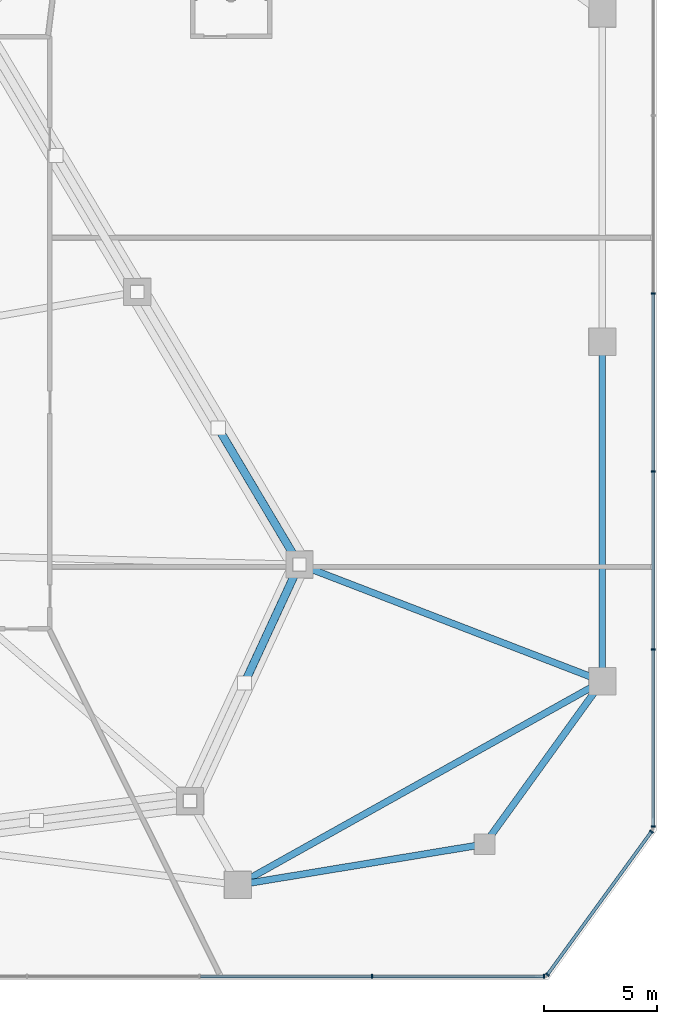
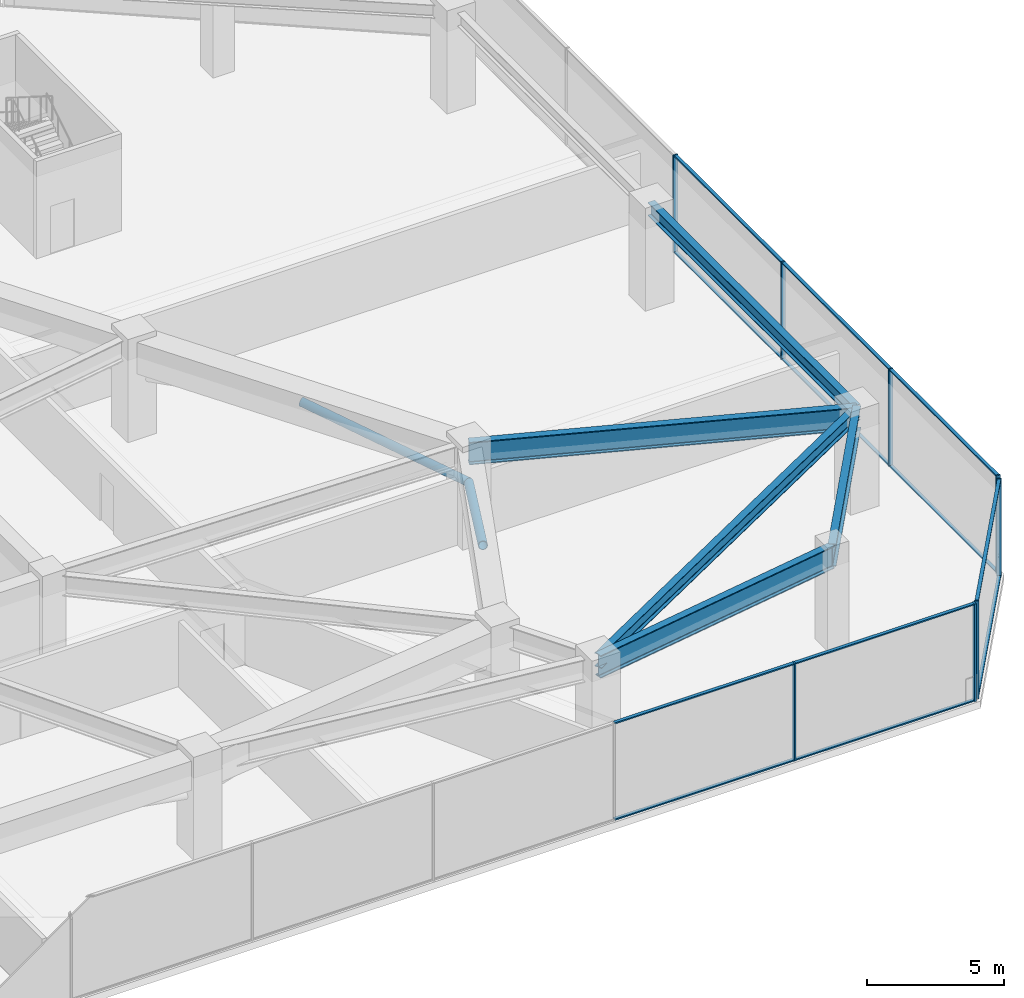
# One storey, part 11 of 23: 22 members, 5 beams, 3 elements without a shape of their own.
"""IFC4 building model written with IfcOpenShell, lengths in metres."""

from ifc_helpers import new_model, si_unit, direction, frame, origin, origin_2d, place, context, subcontext, project, spatial, rectangle, hollow_circle, i_section, extrude, material, material_profile, profile_set, type_object, element, aggregate, save


model = new_model("IFC4")

# Units and contexts
model_context = context("Model", 3, precision=1e-05, world=origin(), true_north=direction((0.0, 1.0)))
body_context = subcontext(model_context, "Body", "Model", "MODEL_VIEW")
ifc_project = project(units=[si_unit("LENGTHUNIT", "METRE"), si_unit("AREAUNIT", "SQUARE_METRE"), si_unit("VOLUMEUNIT", "CUBIC_METRE"), si_unit("PLANEANGLEUNIT", "RADIAN"), si_unit("MASSUNIT", "GRAM", prefix="KILO")], contexts=[model_context])

# Site, building, storey
site_placement = place(None, origin())
site = spatial("IfcSite", under=ifc_project, at=site_placement, CompositionType="ELEMENT")
building_placement = place(site_placement, origin())
building = spatial("IfcBuilding", under=site, at=building_placement, Name="Savorim Split Tower", CompositionType="ELEMENT")
storey_placement = place(building_placement, frame((0.0, 0.0, 21.800048828125)))
storey = spatial("IfcBuildingStorey", under=building, at=storey_placement, Name="L05", CompositionType="ELEMENT", Elevation=21.800048828125)

# Beams
ifc_material_1 = material(Name="Steel S355", Category="steel")
ifc_material_profile_1 = material_profile(ifc_material_1, i_section(OverallWidth=0.300048828125, OverallDepth=0.590087890625, WebThickness=0.012939453125, FlangeThickness=0.02490234375, FilletRadius=0.027099609375, at=origin_2d()), Name="HEA 600")
ifc_profile_set_1 = profile_set([ifc_material_profile_1], Name="Steel S355")
beam_type_1 = type_object("IfcBeamType", Name="BM-SPN-HEA600", PredefinedType="SPANDREL", material=ifc_profile_set_1)
beam_1_placement = place(storey_placement, frame((22.5, -24.0, 4.054931640625), z_axis=(0.872876830371, 0.487940610117, 0.0), x_axis=(-0.487940610117, 0.872876830371, 0.0)))
element("IfcBeam", 1, at=beam_1_placement, inside=storey, type_object=beam_type_1, Name="L05 Podium Spandrel Beam 2", PredefinedType="SPANDREL", context=body_context, shape_type="SweptSolid", body=[
    extrude(i_section(OverallWidth=0.300048828125, OverallDepth=0.590087890625, WebThickness=0.012939453125, FlangeThickness=0.02490234375, FilletRadius=0.027099609375, at=origin_2d()), origin(), (0.0, 0.0, 1.0), 18.44482421875),
])
beam_2_placement = place(storey_placement, frame((38.60009765625, -15.0, 4.054931640625), z_axis=(0.0, 1.0, 0.0), x_axis=(-1.0, 0.0, 0.0)))
element("IfcBeam", 2, at=beam_2_placement, inside=storey, type_object=beam_type_1, Name="L05 Podium Spandrel Beam 3", PredefinedType="SPANDREL", context=body_context, shape_type="SweptSolid", body=[
    extrude(i_section(OverallWidth=0.300048828125, OverallDepth=0.590087890625, WebThickness=0.012939453125, FlangeThickness=0.02490234375, FilletRadius=0.027099609375, at=origin_2d()), origin(), (0.0, 0.0, 1.0), 15.0),
])
ifc_material_2 = material(Name="Steel S460", Category="steel")
ifc_material_profile_2 = material_profile(ifc_material_2, i_section(OverallWidth=0.302001953125, OverallDepth=1.008056640625, WebThickness=0.02099609375, FlangeThickness=0.0400390625, FilletRadius=0.030029296875, at=origin_2d()), Name="HE 1000 M")
ifc_profile_set_2 = profile_set([ifc_material_profile_2], Name="Steel S460")
beam_type_2 = type_object("IfcBeamType", Name="BM-TRF-HEM1000", PredefinedType="BEAM", material=ifc_profile_set_2)
beam_3_placement = place(storey_placement, frame((22.5, -24.0, 3.845947265625), z_axis=(0.986636527583, 0.162936682298, 0.0), x_axis=(-0.162936682298, 0.986636527583, 0.0)))
element("IfcBeam", 3, at=beam_3_placement, inside=storey, type_object=beam_type_2, Name="L05 Podium Primary Girder BG-05", PredefinedType="BEAM", context=body_context, shape_type="SweptSolid", body=[
    extrude(i_section(OverallWidth=0.302001953125, OverallDepth=1.008056640625, WebThickness=0.02099609375, FlangeThickness=0.0400390625, FilletRadius=0.030029296875, at=origin_2d()), origin(), (0.0, 0.0, 1.0), 11.047607421875),
])
beam_4_placement = place(storey_placement, frame((33.39990234375, -22.199951171875, 3.845947265625), z_axis=(0.585507615617, 0.810666905735, 0.0), x_axis=(-0.810666905735, 0.585507615617, 0.0)))
element("IfcBeam", 4, at=beam_4_placement, inside=storey, type_object=beam_type_2, Name="L05 Podium Primary Girder BG-06", PredefinedType="BEAM", context=body_context, shape_type="SweptSolid", body=[
    extrude(i_section(OverallWidth=0.302001953125, OverallDepth=1.008056640625, WebThickness=0.02099609375, FlangeThickness=0.0400390625, FilletRadius=0.030029296875, at=origin_2d()), origin(), (0.0, 0.0, 1.0), 8.881591796875),
])
beam_5_placement = place(storey_placement, frame((38.60009765625, -15.0, 3.845947265625), z_axis=(-0.933209998247, 0.359331461427, 0.0), x_axis=(-0.359331461427, -0.933209998247, 0.0)))
element("IfcBeam", 5, at=beam_5_placement, inside=storey, type_object=beam_type_2, Name="L05 Podium Primary Girder BG-07", PredefinedType="BEAM", context=body_context, shape_type="SweptSolid", body=[
    extrude(i_section(OverallWidth=0.302001953125, OverallDepth=1.008056640625, WebThickness=0.02099609375, FlangeThickness=0.0400390625, FilletRadius=0.030029296875, at=origin_2d()), origin(), (0.0, 0.0, 1.0), 14.3447265625),
])

# Curtain wall, members
ifc_material_3 = material(Name="Dark Ceramic-Fritted Insulated Glass", Category="glass")
curtain_wall_type = type_object("IfcCurtainWallType", Name="CW-REFUGE-LVR", PredefinedType="NOTDEFINED", material=ifc_material_3)
curtain_wall_1_placement = place(storey_placement, origin())
curtain_wall_1 = element("IfcCurtainWall", 6, at=curtain_wall_1_placement, inside=storey, type_object=curtain_wall_type, Name="L05 Curtain Wall CW-L05-E04", PredefinedType="NOTDEFINED")
ifc_material_4 = material(Name="Charcoal Anodised Aluminium", Category="aluminium")
ifc_material_profile_3 = material_profile(ifc_material_4, rectangle(XDim=0.179931640625, YDim=0.06494140625, at=origin_2d()), Name="ALU-M 180x65")
ifc_profile_set_3 = profile_set([ifc_material_profile_3], Name="Charcoal Anodised Aluminium")
member_type_1 = type_object("IfcMemberType", Name="CWM-180x65", PredefinedType="MULLION", material=ifc_profile_set_3)
member_1_placement = place(storey_placement, frame((28.43310546875, -28.0400390625, 0.0), z_axis=(0.0, 0.0, 1.0), x_axis=(0.0, 1.0, 0.0)))
member_1 = element("IfcMember", 7, at=member_1_placement, type_object=member_type_1, Name="CW-06 mullion 8", PredefinedType="MULLION", context=body_context, shape_type="SweptSolid", body=[
    extrude(rectangle(XDim=0.179931640625, YDim=0.06494140625, at=origin_2d()), origin(), (0.0, 0.0, 1.0), 4.349853515625),
])
member_2_placement = place(storey_placement, frame((36.027587890625, -28.0400390625, 0.0), z_axis=(0.0, 0.0, 1.0), x_axis=(0.0, 1.0, 0.0)))
member_2 = element("IfcMember", 8, at=member_2_placement, type_object=member_type_1, Name="CW-06 mullion 9", PredefinedType="MULLION", context=body_context, shape_type="SweptSolid", body=[
    extrude(rectangle(XDim=0.179931640625, YDim=0.06494140625, at=origin_2d()), origin(), (0.0, 0.0, 1.0), 4.349853515625),
])

curtain_wall_2_placement = place(storey_placement, origin())
curtain_wall_2 = element("IfcCurtainWall", 9, at=curtain_wall_2_placement, inside=storey, type_object=curtain_wall_type, Name="L05 Curtain Wall CW-L05-E05", PredefinedType="NOTDEFINED")
member_3_placement = place(storey_placement, frame((36.172119140625, -27.96630859375, 0.0), z_axis=(0.0, 0.0, 1.0), x_axis=(-0.808732792063, 0.588176224478, 0.0)))
member_3 = element("IfcMember", 10, at=member_3_placement, type_object=member_type_1, Name="CW-06 mullion 1", PredefinedType="MULLION", context=body_context, shape_type="SweptSolid", body=[
    extrude(rectangle(XDim=0.179931640625, YDim=0.06494140625, at=origin_2d()), origin(), (0.0, 0.0, 1.0), 4.349853515625),
])
member_4_placement = place(storey_placement, frame((40.769287109375, -21.645263671875, 0.0), z_axis=(0.0, 0.0, 1.0), x_axis=(-0.808732792063, 0.588176224478, 0.0)))
member_4 = element("IfcMember", 11, at=member_4_placement, type_object=member_type_1, Name="CW-06 mullion 2", PredefinedType="MULLION", context=body_context, shape_type="SweptSolid", body=[
    extrude(rectangle(XDim=0.179931640625, YDim=0.06494140625, at=origin_2d()), origin(), (0.0, 0.0, 1.0), 4.349853515625),
])

curtain_wall_3_placement = place(storey_placement, origin())
curtain_wall_3 = element("IfcCurtainWall", 12, at=curtain_wall_3_placement, inside=storey, type_object=curtain_wall_type, Name="L05 Curtain Wall CW-L05-E06", PredefinedType="NOTDEFINED")
member_5_placement = place(storey_placement, frame((40.840087890625, -21.427490234375, 0.0), z_axis=(0.0, 0.0, 1.0), x_axis=(-1.0, 0.0, 0.0)))
member_5 = element("IfcMember", 13, at=member_5_placement, type_object=member_type_1, Name="CW-06 mullion 1", PredefinedType="MULLION", context=body_context, shape_type="SweptSolid", body=[
    extrude(rectangle(XDim=0.179931640625, YDim=0.06494140625, at=origin_2d()), origin(), (0.0, 0.0, 1.0), 4.349853515625),
])
member_6_placement = place(storey_placement, frame((40.840087890625, -13.595947265625, 0.0), z_axis=(0.0, 0.0, 1.0), x_axis=(-1.0, 0.0, 0.0)))
member_6 = element("IfcMember", 14, at=member_6_placement, type_object=member_type_1, Name="CW-06 mullion 2", PredefinedType="MULLION", context=body_context, shape_type="SweptSolid", body=[
    extrude(rectangle(XDim=0.179931640625, YDim=0.06494140625, at=origin_2d()), origin(), (0.0, 0.0, 1.0), 4.349853515625),
])
member_7_placement = place(storey_placement, frame((40.840087890625, -5.73193359375, 0.0), z_axis=(0.0, 0.0, 1.0), x_axis=(-1.0, 0.0, 0.0)))
member_7 = element("IfcMember", 15, at=member_7_placement, type_object=member_type_1, Name="CW-06 mullion 3", PredefinedType="MULLION", context=body_context, shape_type="SweptSolid", body=[
    extrude(rectangle(XDim=0.179931640625, YDim=0.06494140625, at=origin_2d()), origin(), (0.0, 0.0, 1.0), 4.349853515625),
])
member_8_placement = place(storey_placement, frame((40.840087890625, 2.132080078125, 0.0), z_axis=(0.0, 0.0, 1.0), x_axis=(-1.0, 0.0, 0.0)))
member_8 = element("IfcMember", 16, at=member_8_placement, type_object=member_type_1, Name="CW-06 mullion 4", PredefinedType="MULLION", context=body_context, shape_type="SweptSolid", body=[
    extrude(rectangle(XDim=0.179931640625, YDim=0.06494140625, at=origin_2d()), origin(), (0.0, 0.0, 1.0), 4.349853515625),
])

# Member
ifc_material_profile_4 = material_profile(ifc_material_4, rectangle(XDim=0.139892578125, YDim=0.054931640625, at=origin_2d()), Name="ALU-T 140x55")
ifc_profile_set_4 = profile_set([ifc_material_profile_4], Name="Charcoal Anodised Aluminium")
member_type_2 = type_object("IfcMemberType", Name="CWT-140x55", PredefinedType="USERDEFINED", material=ifc_profile_set_4)
member_9_placement = place(storey_placement, frame((20.8388671875, -28.0400390625, 0.02734375), z_axis=(1.0, 0.0, 0.0), x_axis=(0.0, 1.0, 0.0)))
member_9 = element("IfcMember", 17, at=member_9_placement, type_object=member_type_2, Name="CW-06 transom 7.1", ObjectType="TRANSOM", PredefinedType="USERDEFINED", context=body_context, shape_type="SweptSolid", body=[
    extrude(rectangle(XDim=0.139892578125, YDim=0.054931640625, at=origin_2d()), origin(), (0.0, 0.0, 1.0), 7.561767578125),
])

member_10_placement = place(storey_placement, frame((20.8388671875, -28.0400390625, 4.322509765625), z_axis=(1.0, 0.0, 0.0), x_axis=(0.0, 1.0, 0.0)))
member_10 = element("IfcMember", 18, at=member_10_placement, type_object=member_type_2, Name="CW-06 transom 7.2", ObjectType="TRANSOM", PredefinedType="USERDEFINED", context=body_context, shape_type="SweptSolid", body=[
    extrude(rectangle(XDim=0.139892578125, YDim=0.054931640625, at=origin_2d()), origin(), (0.0, 0.0, 1.0), 7.561767578125),
])

member_11_placement = place(storey_placement, frame((28.465576171875, -28.0400390625, 0.02734375), z_axis=(1.0, 0.0, 0.0), x_axis=(0.0, 1.0, 0.0)))
member_11 = element("IfcMember", 19, at=member_11_placement, type_object=member_type_2, Name="CW-06 transom 8.1", ObjectType="TRANSOM", PredefinedType="USERDEFINED", context=body_context, shape_type="SweptSolid", body=[
    extrude(rectangle(XDim=0.139892578125, YDim=0.054931640625, at=origin_2d()), origin(), (0.0, 0.0, 1.0), 7.529541015625),
])

member_12_placement = place(storey_placement, frame((28.465576171875, -28.0400390625, 4.322509765625), z_axis=(1.0, 0.0, 0.0), x_axis=(0.0, 1.0, 0.0)))
member_12 = element("IfcMember", 20, at=member_12_placement, type_object=member_type_2, Name="CW-06 transom 8.2", ObjectType="TRANSOM", PredefinedType="USERDEFINED", context=body_context, shape_type="SweptSolid", body=[
    extrude(rectangle(XDim=0.139892578125, YDim=0.054931640625, at=origin_2d()), origin(), (0.0, 0.0, 1.0), 7.529541015625),
])

aggregate(curtain_wall_1, [member_1, member_2, member_9, member_10, member_11, member_12])

member_13_placement = place(storey_placement, frame((36.191162109375, -27.940185546875, 0.02734375), z_axis=(0.588162333362, 0.808742894629, 0.0), x_axis=(-0.808742894629, 0.588162333362, 0.0)))
member_13 = element("IfcMember", 21, at=member_13_placement, type_object=member_type_2, Name="CW-06 transom 1.1", ObjectType="TRANSOM", PredefinedType="USERDEFINED", context=body_context, shape_type="SweptSolid", body=[
    extrude(rectangle(XDim=0.139892578125, YDim=0.054931640625, at=origin_2d()), origin(), (0.0, 0.0, 1.0), 7.7509765625),
])

member_14_placement = place(storey_placement, frame((36.191162109375, -27.940185546875, 4.322509765625), z_axis=(0.588162333362, 0.808742894629, 0.0), x_axis=(-0.808742894629, 0.588162333362, 0.0)))
member_14 = element("IfcMember", 22, at=member_14_placement, type_object=member_type_2, Name="CW-06 transom 1.2", ObjectType="TRANSOM", PredefinedType="USERDEFINED", context=body_context, shape_type="SweptSolid", body=[
    extrude(rectangle(XDim=0.139892578125, YDim=0.054931640625, at=origin_2d()), origin(), (0.0, 0.0, 1.0), 7.7509765625),
])

aggregate(curtain_wall_2, [member_3, member_4, member_13, member_14])

member_15_placement = place(storey_placement, frame((40.840087890625, -21.39501953125, 0.02734375), z_axis=(0.0, 1.0, 0.0), x_axis=(-1.0, 0.0, 0.0)))
member_15 = element("IfcMember", 23, at=member_15_placement, type_object=member_type_2, Name="CW-06 transom 1.1", ObjectType="TRANSOM", PredefinedType="USERDEFINED", context=body_context, shape_type="SweptSolid", body=[
    extrude(rectangle(XDim=0.139892578125, YDim=0.054931640625, at=origin_2d()), origin(), (0.0, 0.0, 1.0), 7.7666015625),
])

member_16_placement = place(storey_placement, frame((40.840087890625, -21.39501953125, 4.322509765625), z_axis=(0.0, 1.0, 0.0), x_axis=(-1.0, 0.0, 0.0)))
member_16 = element("IfcMember", 24, at=member_16_placement, type_object=member_type_2, Name="CW-06 transom 1.2", ObjectType="TRANSOM", PredefinedType="USERDEFINED", context=body_context, shape_type="SweptSolid", body=[
    extrude(rectangle(XDim=0.139892578125, YDim=0.054931640625, at=origin_2d()), origin(), (0.0, 0.0, 1.0), 7.7666015625),
])

member_17_placement = place(storey_placement, frame((40.840087890625, -13.5634765625, 0.02734375), z_axis=(0.0, 1.0, 0.0), x_axis=(-1.0, 0.0, 0.0)))
member_17 = element("IfcMember", 25, at=member_17_placement, type_object=member_type_2, Name="CW-06 transom 2.1", ObjectType="TRANSOM", PredefinedType="USERDEFINED", context=body_context, shape_type="SweptSolid", body=[
    extrude(rectangle(XDim=0.139892578125, YDim=0.054931640625, at=origin_2d()), origin(), (0.0, 0.0, 1.0), 7.799072265625),
])

member_18_placement = place(storey_placement, frame((40.840087890625, -13.5634765625, 4.322509765625), z_axis=(0.0, 1.0, 0.0), x_axis=(-1.0, 0.0, 0.0)))
member_18 = element("IfcMember", 26, at=member_18_placement, type_object=member_type_2, Name="CW-06 transom 2.2", ObjectType="TRANSOM", PredefinedType="USERDEFINED", context=body_context, shape_type="SweptSolid", body=[
    extrude(rectangle(XDim=0.139892578125, YDim=0.054931640625, at=origin_2d()), origin(), (0.0, 0.0, 1.0), 7.799072265625),
])

member_19_placement = place(storey_placement, frame((40.840087890625, -5.699462890625, 0.02734375), z_axis=(0.0, 1.0, 0.0), x_axis=(-1.0, 0.0, 0.0)))
member_19 = element("IfcMember", 27, at=member_19_placement, type_object=member_type_2, Name="CW-06 transom 3.1", ObjectType="TRANSOM", PredefinedType="USERDEFINED", context=body_context, shape_type="SweptSolid", body=[
    extrude(rectangle(XDim=0.139892578125, YDim=0.054931640625, at=origin_2d()), origin(), (0.0, 0.0, 1.0), 7.799072265625),
])

member_20_placement = place(storey_placement, frame((40.840087890625, -5.699462890625, 4.322509765625), z_axis=(0.0, 1.0, 0.0), x_axis=(-1.0, 0.0, 0.0)))
member_20 = element("IfcMember", 28, at=member_20_placement, type_object=member_type_2, Name="CW-06 transom 3.2", ObjectType="TRANSOM", PredefinedType="USERDEFINED", context=body_context, shape_type="SweptSolid", body=[
    extrude(rectangle(XDim=0.139892578125, YDim=0.054931640625, at=origin_2d()), origin(), (0.0, 0.0, 1.0), 7.799072265625),
])

aggregate(curtain_wall_3, [member_5, member_6, member_7, member_8, member_15, member_16, member_17, member_18, member_19, member_20])

# Members
ifc_material_profile_5 = material_profile(ifc_material_2, hollow_circle(Radius=0.177734375, WallThickness=0.02001953125, at=origin_2d()), Name="CHS 355.6x20")
ifc_profile_set_5 = profile_set([ifc_material_profile_5], Name="Steel S460")
member_type_3 = type_object("IfcMemberType", Name="MBR-BLT-CHS355", PredefinedType="BRACE", material=ifc_profile_set_5)
member_21_placement = place(storey_placement, frame((25.21337890625, -9.845458984375, 2.47998046875), z_axis=(-0.410918144727, -0.888896136328, 0.202509103883), x_axis=(0.907703405882, -0.419612353191, 0.0)))
element("IfcMember", 29, at=member_21_placement, inside=storey, type_object=member_type_3, Name="L05 Transfer Belt Truss Brace 4B", PredefinedType="BRACE", context=body_context, shape_type="SweptSolid", body=[
    extrude(hollow_circle(Radius=0.177734375, WallThickness=0.02001953125, at=origin_2d()), origin(), (0.0, 0.0, 1.0), 5.8759765625),
])
member_22_placement = place(storey_placement, frame((25.21337890625, -9.845458984375, 2.47998046875), z_axis=(-0.503863513024, 0.847408378458, 0.167393549348), x_axis=(-0.859536301612, -0.511074697291, 0.0)))
element("IfcMember", 30, at=member_22_placement, inside=storey, type_object=member_type_3, Name="L05 Transfer Belt Truss Brace 5A", PredefinedType="BRACE", context=body_context, shape_type="SweptSolid", body=[
    extrude(hollow_circle(Radius=0.177734375, WallThickness=0.02001953125, at=origin_2d()), origin(), (0.0, 0.0, 1.0), 7.108642578125),
])

save(model, "model.ifc")
